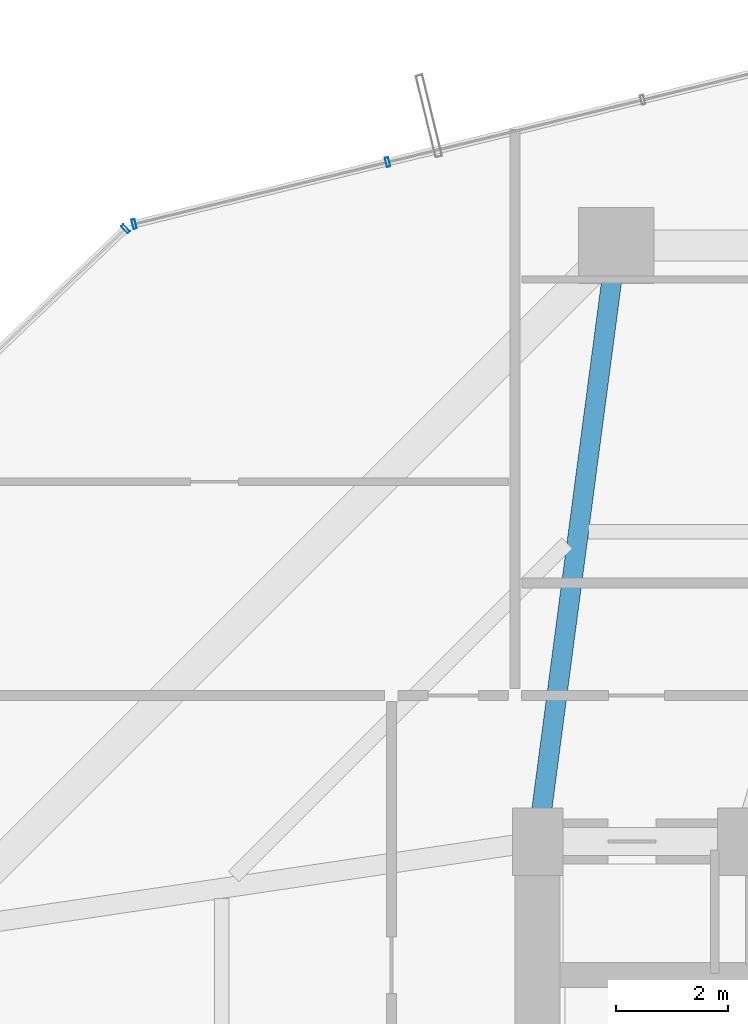
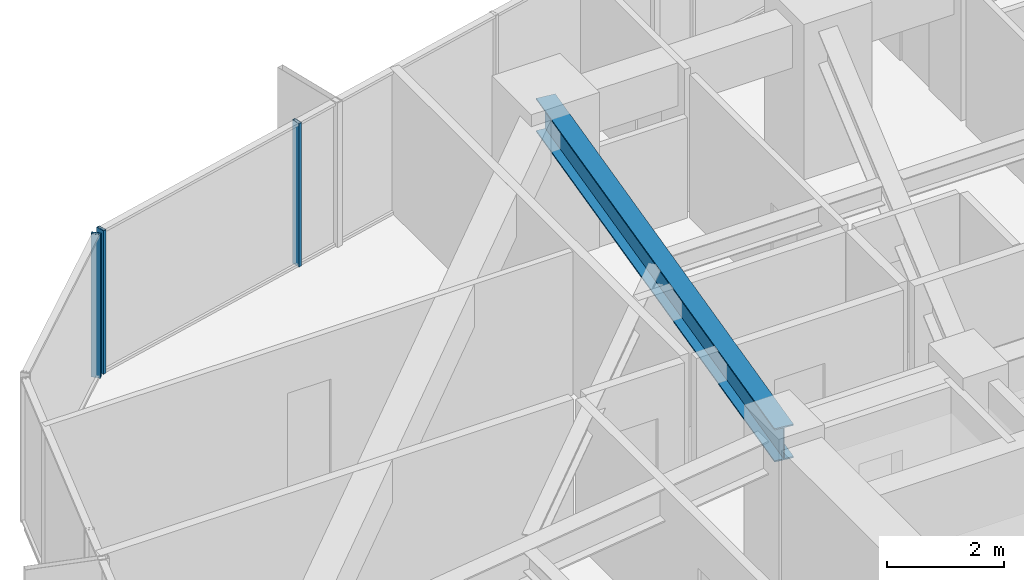
# One storey, part 22 of 37: 3 members, 1 beam, 2 elements without a shape of their own.
"""IFC4 building model written with IfcOpenShell, lengths in metres."""

from ifc_helpers import new_model, si_unit, direction, frame, origin, origin_2d, place, context, subcontext, project, spatial, hollow_rectangle, i_section, extrude, source, transform, mapped, material, layer, layer_set, material_profile, profile_set, type_object, element, aggregate, save


model = new_model("IFC4")

# Units and contexts
model_context = context("Model", 3, precision=1e-05, world=origin(), true_north=direction((0.0, 1.0)))
body_context = subcontext(model_context, "Body", "Model", "MODEL_VIEW")
ifc_project = project(units=[si_unit("LENGTHUNIT", "METRE"), si_unit("AREAUNIT", "SQUARE_METRE"), si_unit("VOLUMEUNIT", "CUBIC_METRE"), si_unit("PLANEANGLEUNIT", "RADIAN"), si_unit("MASSUNIT", "GRAM", prefix="KILO")], contexts=[model_context])

# Site, building, storey
site_placement = place(None, origin())
site = spatial("IfcSite", under=ifc_project, at=site_placement, CompositionType="ELEMENT")
building_placement = place(site_placement, origin())
building = spatial("IfcBuilding", under=site, at=building_placement, Name="Veraguas Prism Commons", CompositionType="ELEMENT")
storey_placement = place(building_placement, frame((0.0, 0.0, 70.60009765625)))
storey = spatial("IfcBuildingStorey", under=building, at=storey_placement, Name="L19", CompositionType="ELEMENT", Elevation=70.60009765625)

# Beam
ifc_material_1 = material(Name="Steel ASTM A992 Grade 50", Category="steel")
ifc_material_profile_1 = material_profile(ifc_material_1, i_section(OverallWidth=0.35595703125, OverallDepth=0.700927734375, WebThickness=0.016845703125, FlangeThickness=0.02734375, at=origin_2d()), Name="W690X240")
ifc_profile_set_1 = profile_set([ifc_material_profile_1], Name="Steel ASTM A992 Grade 50")
beam_type = type_object("IfcBeamType", Name="Zone 1 Radial Girder W690x240", PredefinedType="BEAM", material=ifc_profile_set_1)
beam_placement = place(storey_placement, frame((18.60009765625, 41.60009765625, 2.6494140625), z_axis=(-0.130950648891, -0.991388888154, 0.0), x_axis=(0.991388888154, -0.130950648891, 0.0)))
element("IfcBeam", 1, at=beam_placement, inside=storey, type_object=beam_type, Name="Radial Floor Girder L19-RD06", PredefinedType="BEAM", context=body_context, shape_type="SweptSolid", body=[
    extrude(i_section(OverallWidth=0.35595703125, OverallDepth=0.700927734375, WebThickness=0.016845703125, FlangeThickness=0.02734375, at=origin_2d()), origin(), (0.0, 0.0, 1.0), 10.692138671875),
])

# Curtain wall, members
ifc_material_2 = material(Name="Anodised aluminium EN AW-6063 T6", Category="aluminium")
ifc_layer = layer(ifc_material_2, 0.169921875, Name="Unitised Flush Curtain Wall Zone 1", Category="aluminium")
ifc_layer_set = layer_set([ifc_layer], Name="Anodised aluminium EN AW-6063 T6")
curtain_wall_type = type_object("IfcCurtainWallType", Name="Unitised Flush Curtain Wall Zone 1", PredefinedType="NOTDEFINED", material=ifc_layer_set)
curtain_wall_1_placement = place(storey_placement, origin())
curtain_wall_1 = element("IfcCurtainWall", 2, at=curtain_wall_1_placement, inside=storey, type_object=curtain_wall_type, Name="Tower Facade Curtain Wall L19-F2", PredefinedType="NOTDEFINED")
ifc_material_profile_2 = material_profile(ifc_material_2, hollow_rectangle(XDim=0.06005859375, YDim=0.169921875, WallThickness=0.00390625, at=origin_2d()), Name="AL60X170X4")
ifc_profile_set_2 = profile_set([ifc_material_profile_2], Name="Anodised aluminium EN AW-6063 T6")
member_type = type_object("IfcMemberType", Name="Curtain Wall Mullion Lower AL 60x170x4", PredefinedType="MULLION", material=ifc_profile_set_2)
shared_shape = source(origin(), body_context, "Body", "SweptSolid", [
    extrude(hollow_rectangle(XDim=0.06005859375, YDim=0.169921875, WallThickness=0.00390625, at=origin_2d()), origin(), (0.0, 0.0, 1.0), 3.0),
])
member_1_placement = place(storey_placement, frame((14.53271484375, 43.083740234375, 0.0), z_axis=(0.0, 0.0, 1.0), x_axis=(-0.971464732867, -0.237184048359, 0.0)))
member_1 = element("IfcMember", 3, at=member_1_placement, type_object=member_type, Name="CW-Z1 Mullion 4", PredefinedType="MULLION", context=body_context, shape_type="MappedRepresentation", body=[
    mapped(shared_shape, transform((0.0, 0.0, 0.0), scale=1.0)),
])
member_2_placement = place(storey_placement, frame((10.024169921875, 41.98291015625, 0.0), z_axis=(0.0, 0.0, 1.0), x_axis=(-0.971464732867, -0.237184048359, 0.0)))
member_2 = element("IfcMember", 4, at=member_2_placement, type_object=member_type, Name="CW-Z1 Mullion 5", PredefinedType="MULLION", context=body_context, shape_type="MappedRepresentation", body=[
    mapped(shared_shape, transform((0.0, 0.0, 0.0), scale=1.0)),
])
aggregate(curtain_wall_1, [member_1, member_2])

# Curtain wall, member
curtain_wall_2_placement = place(storey_placement, origin())
curtain_wall_2 = element("IfcCurtainWall", 5, at=curtain_wall_2_placement, inside=storey, type_object=curtain_wall_type, Name="Chamfer Curtain Wall L19-C3", PredefinedType="NOTDEFINED")
member_3_placement = place(storey_placement, frame((9.87158203125, 41.8994140625, 0.0), z_axis=(0.0, 0.0, 1.0), x_axis=(-0.722729557176, -0.691130947929, 0.0)))
member_3 = element("IfcMember", 6, at=member_3_placement, type_object=member_type, Name="CW-Z1 Mullion 1", PredefinedType="MULLION", context=body_context, shape_type="MappedRepresentation", body=[
    mapped(shared_shape, transform((0.0, 0.0, 0.0), scale=1.0)),
])
aggregate(curtain_wall_2, [member_3])

save(model, "model.ifc")
